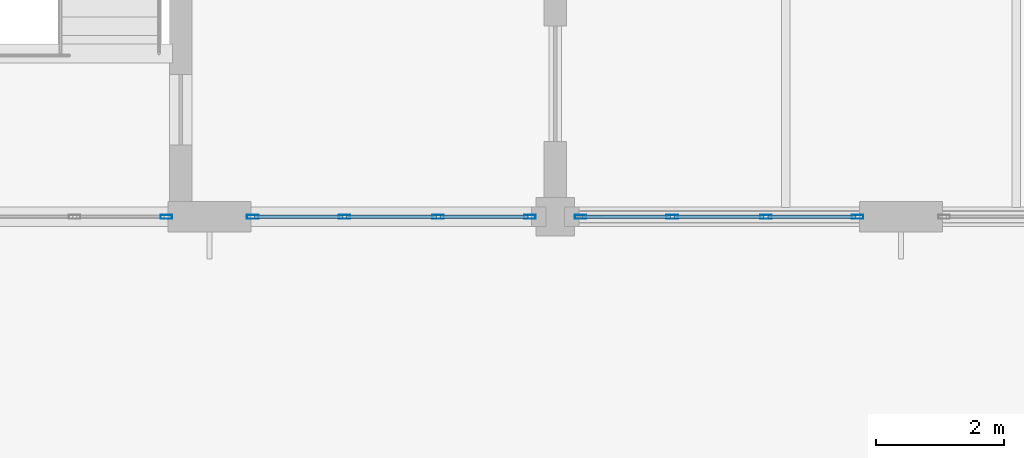
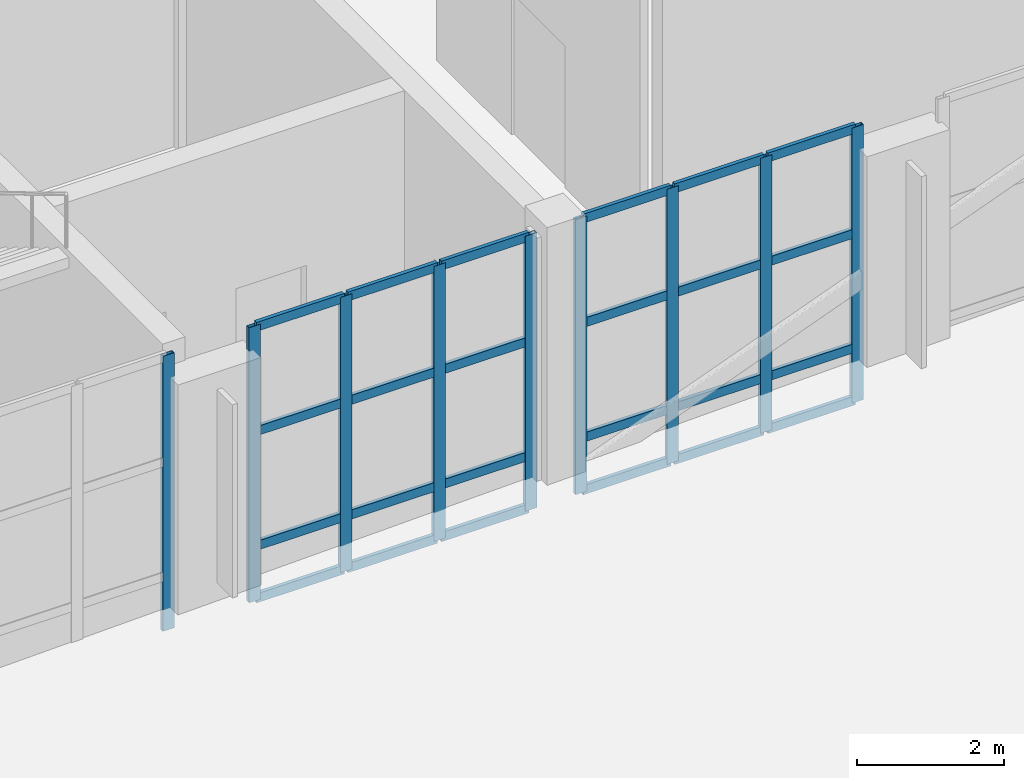
# One storey, part 16 of 86: 33 members, 3 elements without a shape of their own.
"""IFC4 building model written with IfcOpenShell, lengths in metres."""

from ifc_helpers import new_model, si_unit, direction, frame, origin, origin_2d, place, context, subcontext, project, spatial, hollow_rectangle, extrude, material, layer, layer_set, material_profile, profile_set, type_object, element, aggregate, save


model = new_model("IFC4")

# Units and contexts
model_context = context("Model", 3, precision=1e-05, world=origin(), true_north=direction((0.0, 1.0)))
body_context = subcontext(model_context, "Body", "Model", "MODEL_VIEW")
ifc_project = project(units=[si_unit("LENGTHUNIT", "METRE"), si_unit("AREAUNIT", "SQUARE_METRE"), si_unit("VOLUMEUNIT", "CUBIC_METRE"), si_unit("PLANEANGLEUNIT", "RADIAN"), si_unit("MASSUNIT", "GRAM", prefix="KILO")], contexts=[model_context])

# Site, building, storey
site_placement = place(None, origin())
site = spatial("IfcSite", under=ifc_project, at=site_placement, CompositionType="ELEMENT")
building_placement = place(site_placement, origin())
building = spatial("IfcBuilding", under=site, at=building_placement, Name="Tasgan Crest Museum", CompositionType="ELEMENT")
storey_placement = place(building_placement, frame((0.0, 0.0, 24.0)))
storey = spatial("IfcBuildingStorey", under=building, at=storey_placement, Name="L04", CompositionType="ELEMENT", Elevation=24.0)

# Curtain wall, member
ifc_material_1 = material(Name="Triple-Glazed Aluminium Curtain Wall", Category="aluminium")
ifc_layer_1 = layer(ifc_material_1, 0.179931640625, Name="CW-CORE-STRIP-48")
ifc_layer_set_1 = layer_set([ifc_layer_1], Name="Triple-Glazed Aluminium Curtain Wall")
curtain_wall_type_1 = type_object("IfcCurtainWallType", Name="CW-CORE-STRIP-48", PredefinedType="NOTDEFINED", material=ifc_layer_set_1)
curtain_wall_1_placement = place(storey_placement, origin())
curtain_wall_1 = element("IfcCurtainWall", 1, at=curtain_wall_1_placement, inside=storey, type_object=curtain_wall_type_1, Name="Curtain wall L04 171", PredefinedType="NOTDEFINED")
ifc_material_2 = material(Name="Anodised Aluminium", Category="aluminium")
ifc_material_profile_1 = material_profile(ifc_material_2, hollow_rectangle(XDim=0.06494140625, YDim=0.179931640625, WallThickness=0.0048828125, at=origin_2d()), Name="ALU MULLION 180x65x5")
ifc_profile_set_1 = profile_set([ifc_material_profile_1], Name="Anodised Aluminium")
member_type_1 = type_object("IfcMemberType", Name="CW-MULLION-180", PredefinedType="MULLION", material=ifc_profile_set_1)
member_1_placement = place(storey_placement, frame((15.52490234375, 82.0, 0.0), z_axis=(0.0, 0.0, 1.0), x_axis=(0.0, 1.0, 0.0)))
member_1 = element("IfcMember", 2, at=member_1_placement, type_object=member_type_1, Name="CW19 mullion 4", PredefinedType="MULLION", context=body_context, shape_type="SweptSolid", body=[
    extrude(hollow_rectangle(XDim=0.06494140625, YDim=0.179931640625, WallThickness=0.0048828125, at=origin_2d()), origin(), (0.0, 0.0, 1.0), 4.56005859375),
])
aggregate(curtain_wall_1, [member_1])

# Curtain wall, members
curtain_wall_2_placement = place(storey_placement, origin())
curtain_wall_2 = element("IfcCurtainWall", 3, at=curtain_wall_2_placement, inside=storey, type_object=curtain_wall_type_1, Name="Curtain wall L04 172", PredefinedType="NOTDEFINED")
member_2_placement = place(storey_placement, frame((16.875, 82.0, 0.0), z_axis=(0.0, 0.0, 1.0), x_axis=(0.0, 1.0, 0.0)))
member_2 = element("IfcMember", 4, at=member_2_placement, type_object=member_type_1, Name="CW19 mullion 1", PredefinedType="MULLION", context=body_context, shape_type="SweptSolid", body=[
    extrude(hollow_rectangle(XDim=0.06494140625, YDim=0.179931640625, WallThickness=0.0048828125, at=origin_2d()), origin(), (0.0, 0.0, 1.0), 4.56005859375),
])
member_3_placement = place(storey_placement, frame((18.308349609375, 82.0, 0.0), z_axis=(0.0, 0.0, 1.0), x_axis=(0.0, 1.0, 0.0)))
member_3 = element("IfcMember", 5, at=member_3_placement, type_object=member_type_1, Name="CW19 mullion 2", PredefinedType="MULLION", context=body_context, shape_type="SweptSolid", body=[
    extrude(hollow_rectangle(XDim=0.06494140625, YDim=0.179931640625, WallThickness=0.0048828125, at=origin_2d()), origin(), (0.0, 0.0, 1.0), 4.56005859375),
])
member_4_placement = place(storey_placement, frame((19.771728515625, 82.0, 0.0), z_axis=(0.0, 0.0, 1.0), x_axis=(0.0, 1.0, 0.0)))
member_4 = element("IfcMember", 6, at=member_4_placement, type_object=member_type_1, Name="CW19 mullion 3", PredefinedType="MULLION", context=body_context, shape_type="SweptSolid", body=[
    extrude(hollow_rectangle(XDim=0.06494140625, YDim=0.179931640625, WallThickness=0.0048828125, at=origin_2d()), origin(), (0.0, 0.0, 1.0), 4.56005859375),
])
member_5_placement = place(storey_placement, frame((21.205078125, 82.0, 0.0), z_axis=(0.0, 0.0, 1.0), x_axis=(0.0, 1.0, 0.0)))
member_5 = element("IfcMember", 7, at=member_5_placement, type_object=member_type_1, Name="CW19 mullion 4", PredefinedType="MULLION", context=body_context, shape_type="SweptSolid", body=[
    extrude(hollow_rectangle(XDim=0.06494140625, YDim=0.179931640625, WallThickness=0.0048828125, at=origin_2d()), origin(), (0.0, 0.0, 1.0), 4.56005859375),
])

ifc_material_3 = material(Name="Triple-Glazed Aluminium Curtain Wall", Category="aluminium")
ifc_layer_2 = layer(ifc_material_3, 0.179931640625, Name="CW-GAL-X-48")
ifc_layer_set_2 = layer_set([ifc_layer_2], Name="Triple-Glazed Aluminium Curtain Wall")
curtain_wall_type_2 = type_object("IfcCurtainWallType", Name="CW-GAL-X-48", PredefinedType="NOTDEFINED", material=ifc_layer_set_2)
curtain_wall_3_placement = place(storey_placement, origin())
curtain_wall_3 = element("IfcCurtainWall", 8, at=curtain_wall_3_placement, inside=storey, type_object=curtain_wall_type_2, Name="Curtain wall L04 173", PredefinedType="NOTDEFINED")
member_6_placement = place(storey_placement, frame((21.9951171875, 82.0, 0.0), z_axis=(0.0, 0.0, 1.0), x_axis=(0.0, 1.0, 0.0)))
member_6 = element("IfcMember", 9, at=member_6_placement, type_object=member_type_1, Name="CW13 mullion 1", PredefinedType="MULLION", context=body_context, shape_type="SweptSolid", body=[
    extrude(hollow_rectangle(XDim=0.06494140625, YDim=0.179931640625, WallThickness=0.0048828125, at=origin_2d()), origin(), (0.0, 0.0, 1.0), 4.56005859375),
])
member_7_placement = place(storey_placement, frame((23.42822265625, 82.0, 0.0), z_axis=(0.0, 0.0, 1.0), x_axis=(0.0, 1.0, 0.0)))
member_7 = element("IfcMember", 10, at=member_7_placement, type_object=member_type_1, Name="CW13 mullion 2", PredefinedType="MULLION", context=body_context, shape_type="SweptSolid", body=[
    extrude(hollow_rectangle(XDim=0.06494140625, YDim=0.179931640625, WallThickness=0.0048828125, at=origin_2d()), origin(), (0.0, 0.0, 1.0), 4.56005859375),
])
member_8_placement = place(storey_placement, frame((24.8916015625, 82.0, 0.0), z_axis=(0.0, 0.0, 1.0), x_axis=(0.0, 1.0, 0.0)))
member_8 = element("IfcMember", 11, at=member_8_placement, type_object=member_type_1, Name="CW13 mullion 3", PredefinedType="MULLION", context=body_context, shape_type="SweptSolid", body=[
    extrude(hollow_rectangle(XDim=0.06494140625, YDim=0.179931640625, WallThickness=0.0048828125, at=origin_2d()), origin(), (0.0, 0.0, 1.0), 4.56005859375),
])
member_9_placement = place(storey_placement, frame((26.324951171875, 82.0, 0.0), z_axis=(0.0, 0.0, 1.0), x_axis=(0.0, 1.0, 0.0)))
member_9 = element("IfcMember", 12, at=member_9_placement, type_object=member_type_1, Name="CW13 mullion 4", PredefinedType="MULLION", context=body_context, shape_type="SweptSolid", body=[
    extrude(hollow_rectangle(XDim=0.06494140625, YDim=0.179931640625, WallThickness=0.0048828125, at=origin_2d()), origin(), (0.0, 0.0, 1.0), 4.56005859375),
])

# Member
ifc_material_4 = material(Name="Anodised Aluminium", Category="aluminium")
ifc_material_profile_2 = material_profile(ifc_material_4, hollow_rectangle(XDim=0.06005859375, YDim=0.14990234375, WallThickness=0.0048828125, at=origin_2d()), Name="ALU TRANSOM 150x60x5")
ifc_profile_set_2 = profile_set([ifc_material_profile_2], Name="Anodised Aluminium")
member_type_2 = type_object("IfcMemberType", Name="CW-TRANSOM-150", PredefinedType="USERDEFINED", material=ifc_profile_set_2)
member_10_placement = place(storey_placement, frame((16.905029296875, 82.0, 0.030029296875), z_axis=(1.0, 0.0, 0.0), x_axis=(0.0, 1.0, 0.0)))
member_10 = element("IfcMember", 13, at=member_10_placement, type_object=member_type_2, Name="CW19 transom 1.1", ObjectType="TRANSOM", PredefinedType="USERDEFINED", context=body_context, shape_type="SweptSolid", body=[
    extrude(hollow_rectangle(XDim=0.06005859375, YDim=0.14990234375, WallThickness=0.0048828125, at=origin_2d()), origin(), (0.0, 0.0, 1.0), 1.373291015625),
])

member_11_placement = place(storey_placement, frame((16.905029296875, 82.0, 0.89990234375), z_axis=(1.0, 0.0, 0.0), x_axis=(0.0, 1.0, 0.0)))
member_11 = element("IfcMember", 14, at=member_11_placement, type_object=member_type_2, Name="CW19 transom 1.2", ObjectType="TRANSOM", PredefinedType="USERDEFINED", context=body_context, shape_type="SweptSolid", body=[
    extrude(hollow_rectangle(XDim=0.06005859375, YDim=0.14990234375, WallThickness=0.0048828125, at=origin_2d()), origin(), (0.0, 0.0, 1.0), 1.373291015625),
])

member_12_placement = place(storey_placement, frame((16.905029296875, 82.0, 2.800048828125), z_axis=(1.0, 0.0, 0.0), x_axis=(0.0, 1.0, 0.0)))
member_12 = element("IfcMember", 15, at=member_12_placement, type_object=member_type_2, Name="CW19 transom 1.3", ObjectType="TRANSOM", PredefinedType="USERDEFINED", context=body_context, shape_type="SweptSolid", body=[
    extrude(hollow_rectangle(XDim=0.06005859375, YDim=0.14990234375, WallThickness=0.0048828125, at=origin_2d()), origin(), (0.0, 0.0, 1.0), 1.373291015625),
])

member_13_placement = place(storey_placement, frame((16.905029296875, 82.0, 4.530029296875), z_axis=(1.0, 0.0, 0.0), x_axis=(0.0, 1.0, 0.0)))
member_13 = element("IfcMember", 16, at=member_13_placement, type_object=member_type_2, Name="CW19 transom 1.4", ObjectType="TRANSOM", PredefinedType="USERDEFINED", context=body_context, shape_type="SweptSolid", body=[
    extrude(hollow_rectangle(XDim=0.06005859375, YDim=0.14990234375, WallThickness=0.0048828125, at=origin_2d()), origin(), (0.0, 0.0, 1.0), 1.373291015625),
])

member_14_placement = place(storey_placement, frame((18.33837890625, 82.0, 0.030029296875), z_axis=(1.0, 0.0, 0.0), x_axis=(0.0, 1.0, 0.0)))
member_14 = element("IfcMember", 17, at=member_14_placement, type_object=member_type_2, Name="CW19 transom 2.1", ObjectType="TRANSOM", PredefinedType="USERDEFINED", context=body_context, shape_type="SweptSolid", body=[
    extrude(hollow_rectangle(XDim=0.06005859375, YDim=0.14990234375, WallThickness=0.0048828125, at=origin_2d()), origin(), (0.0, 0.0, 1.0), 1.4033203125),
])

member_15_placement = place(storey_placement, frame((18.33837890625, 82.0, 0.89990234375), z_axis=(1.0, 0.0, 0.0), x_axis=(0.0, 1.0, 0.0)))
member_15 = element("IfcMember", 18, at=member_15_placement, type_object=member_type_2, Name="CW19 transom 2.2", ObjectType="TRANSOM", PredefinedType="USERDEFINED", context=body_context, shape_type="SweptSolid", body=[
    extrude(hollow_rectangle(XDim=0.06005859375, YDim=0.14990234375, WallThickness=0.0048828125, at=origin_2d()), origin(), (0.0, 0.0, 1.0), 1.4033203125),
])

member_16_placement = place(storey_placement, frame((18.33837890625, 82.0, 2.800048828125), z_axis=(1.0, 0.0, 0.0), x_axis=(0.0, 1.0, 0.0)))
member_16 = element("IfcMember", 19, at=member_16_placement, type_object=member_type_2, Name="CW19 transom 2.3", ObjectType="TRANSOM", PredefinedType="USERDEFINED", context=body_context, shape_type="SweptSolid", body=[
    extrude(hollow_rectangle(XDim=0.06005859375, YDim=0.14990234375, WallThickness=0.0048828125, at=origin_2d()), origin(), (0.0, 0.0, 1.0), 1.4033203125),
])

member_17_placement = place(storey_placement, frame((18.33837890625, 82.0, 4.530029296875), z_axis=(1.0, 0.0, 0.0), x_axis=(0.0, 1.0, 0.0)))
member_17 = element("IfcMember", 20, at=member_17_placement, type_object=member_type_2, Name="CW19 transom 2.4", ObjectType="TRANSOM", PredefinedType="USERDEFINED", context=body_context, shape_type="SweptSolid", body=[
    extrude(hollow_rectangle(XDim=0.06005859375, YDim=0.14990234375, WallThickness=0.0048828125, at=origin_2d()), origin(), (0.0, 0.0, 1.0), 1.4033203125),
])

member_18_placement = place(storey_placement, frame((19.8017578125, 82.0, 0.030029296875), z_axis=(1.0, 0.0, 0.0), x_axis=(0.0, 1.0, 0.0)))
member_18 = element("IfcMember", 21, at=member_18_placement, type_object=member_type_2, Name="CW19 transom 3.1", ObjectType="TRANSOM", PredefinedType="USERDEFINED", context=body_context, shape_type="SweptSolid", body=[
    extrude(hollow_rectangle(XDim=0.06005859375, YDim=0.14990234375, WallThickness=0.0048828125, at=origin_2d()), origin(), (0.0, 0.0, 1.0), 1.373291015625),
])

member_19_placement = place(storey_placement, frame((19.8017578125, 82.0, 0.89990234375), z_axis=(1.0, 0.0, 0.0), x_axis=(0.0, 1.0, 0.0)))
member_19 = element("IfcMember", 22, at=member_19_placement, type_object=member_type_2, Name="CW19 transom 3.2", ObjectType="TRANSOM", PredefinedType="USERDEFINED", context=body_context, shape_type="SweptSolid", body=[
    extrude(hollow_rectangle(XDim=0.06005859375, YDim=0.14990234375, WallThickness=0.0048828125, at=origin_2d()), origin(), (0.0, 0.0, 1.0), 1.373291015625),
])

member_20_placement = place(storey_placement, frame((19.8017578125, 82.0, 2.800048828125), z_axis=(1.0, 0.0, 0.0), x_axis=(0.0, 1.0, 0.0)))
member_20 = element("IfcMember", 23, at=member_20_placement, type_object=member_type_2, Name="CW19 transom 3.3", ObjectType="TRANSOM", PredefinedType="USERDEFINED", context=body_context, shape_type="SweptSolid", body=[
    extrude(hollow_rectangle(XDim=0.06005859375, YDim=0.14990234375, WallThickness=0.0048828125, at=origin_2d()), origin(), (0.0, 0.0, 1.0), 1.373291015625),
])

member_21_placement = place(storey_placement, frame((19.8017578125, 82.0, 4.530029296875), z_axis=(1.0, 0.0, 0.0), x_axis=(0.0, 1.0, 0.0)))
member_21 = element("IfcMember", 24, at=member_21_placement, type_object=member_type_2, Name="CW19 transom 3.4", ObjectType="TRANSOM", PredefinedType="USERDEFINED", context=body_context, shape_type="SweptSolid", body=[
    extrude(hollow_rectangle(XDim=0.06005859375, YDim=0.14990234375, WallThickness=0.0048828125, at=origin_2d()), origin(), (0.0, 0.0, 1.0), 1.373291015625),
])

aggregate(curtain_wall_2, [member_2, member_3, member_4, member_5, member_10, member_11, member_12, member_13, member_14, member_15, member_16, member_17, member_18, member_19, member_20, member_21])

member_22_placement = place(storey_placement, frame((22.02490234375, 82.0, 0.030029296875), z_axis=(1.0, 0.0, 0.0), x_axis=(0.0, 1.0, 0.0)))
member_22 = element("IfcMember", 25, at=member_22_placement, type_object=member_type_2, Name="CW13 transom 1.1", ObjectType="TRANSOM", PredefinedType="USERDEFINED", context=body_context, shape_type="SweptSolid", body=[
    extrude(hollow_rectangle(XDim=0.06005859375, YDim=0.14990234375, WallThickness=0.0048828125, at=origin_2d()), origin(), (0.0, 0.0, 1.0), 1.37353515625),
])

member_23_placement = place(storey_placement, frame((22.02490234375, 82.0, 0.89990234375), z_axis=(1.0, 0.0, 0.0), x_axis=(0.0, 1.0, 0.0)))
member_23 = element("IfcMember", 26, at=member_23_placement, type_object=member_type_2, Name="CW13 transom 1.2", ObjectType="TRANSOM", PredefinedType="USERDEFINED", context=body_context, shape_type="SweptSolid", body=[
    extrude(hollow_rectangle(XDim=0.06005859375, YDim=0.14990234375, WallThickness=0.0048828125, at=origin_2d()), origin(), (0.0, 0.0, 1.0), 1.37353515625),
])

member_24_placement = place(storey_placement, frame((22.02490234375, 82.0, 2.800048828125), z_axis=(1.0, 0.0, 0.0), x_axis=(0.0, 1.0, 0.0)))
member_24 = element("IfcMember", 27, at=member_24_placement, type_object=member_type_2, Name="CW13 transom 1.3", ObjectType="TRANSOM", PredefinedType="USERDEFINED", context=body_context, shape_type="SweptSolid", body=[
    extrude(hollow_rectangle(XDim=0.06005859375, YDim=0.14990234375, WallThickness=0.0048828125, at=origin_2d()), origin(), (0.0, 0.0, 1.0), 1.37353515625),
])

member_25_placement = place(storey_placement, frame((22.02490234375, 82.0, 4.530029296875), z_axis=(1.0, 0.0, 0.0), x_axis=(0.0, 1.0, 0.0)))
member_25 = element("IfcMember", 28, at=member_25_placement, type_object=member_type_2, Name="CW13 transom 1.4", ObjectType="TRANSOM", PredefinedType="USERDEFINED", context=body_context, shape_type="SweptSolid", body=[
    extrude(hollow_rectangle(XDim=0.06005859375, YDim=0.14990234375, WallThickness=0.0048828125, at=origin_2d()), origin(), (0.0, 0.0, 1.0), 1.37353515625),
])

member_26_placement = place(storey_placement, frame((23.458251953125, 82.0, 0.030029296875), z_axis=(1.0, 0.0, 0.0), x_axis=(0.0, 1.0, 0.0)))
member_26 = element("IfcMember", 29, at=member_26_placement, type_object=member_type_2, Name="CW13 transom 2.1", ObjectType="TRANSOM", PredefinedType="USERDEFINED", context=body_context, shape_type="SweptSolid", body=[
    extrude(hollow_rectangle(XDim=0.06005859375, YDim=0.14990234375, WallThickness=0.0048828125, at=origin_2d()), origin(), (0.0, 0.0, 1.0), 1.4033203125),
])

member_27_placement = place(storey_placement, frame((23.458251953125, 82.0, 0.89990234375), z_axis=(1.0, 0.0, 0.0), x_axis=(0.0, 1.0, 0.0)))
member_27 = element("IfcMember", 30, at=member_27_placement, type_object=member_type_2, Name="CW13 transom 2.2", ObjectType="TRANSOM", PredefinedType="USERDEFINED", context=body_context, shape_type="SweptSolid", body=[
    extrude(hollow_rectangle(XDim=0.06005859375, YDim=0.14990234375, WallThickness=0.0048828125, at=origin_2d()), origin(), (0.0, 0.0, 1.0), 1.4033203125),
])

member_28_placement = place(storey_placement, frame((23.458251953125, 82.0, 2.800048828125), z_axis=(1.0, 0.0, 0.0), x_axis=(0.0, 1.0, 0.0)))
member_28 = element("IfcMember", 31, at=member_28_placement, type_object=member_type_2, Name="CW13 transom 2.3", ObjectType="TRANSOM", PredefinedType="USERDEFINED", context=body_context, shape_type="SweptSolid", body=[
    extrude(hollow_rectangle(XDim=0.06005859375, YDim=0.14990234375, WallThickness=0.0048828125, at=origin_2d()), origin(), (0.0, 0.0, 1.0), 1.4033203125),
])

member_29_placement = place(storey_placement, frame((23.458251953125, 82.0, 4.530029296875), z_axis=(1.0, 0.0, 0.0), x_axis=(0.0, 1.0, 0.0)))
member_29 = element("IfcMember", 32, at=member_29_placement, type_object=member_type_2, Name="CW13 transom 2.4", ObjectType="TRANSOM", PredefinedType="USERDEFINED", context=body_context, shape_type="SweptSolid", body=[
    extrude(hollow_rectangle(XDim=0.06005859375, YDim=0.14990234375, WallThickness=0.0048828125, at=origin_2d()), origin(), (0.0, 0.0, 1.0), 1.4033203125),
])

member_30_placement = place(storey_placement, frame((24.921630859375, 82.0, 0.030029296875), z_axis=(1.0, 0.0, 0.0), x_axis=(0.0, 1.0, 0.0)))
member_30 = element("IfcMember", 33, at=member_30_placement, type_object=member_type_2, Name="CW13 transom 3.1", ObjectType="TRANSOM", PredefinedType="USERDEFINED", context=body_context, shape_type="SweptSolid", body=[
    extrude(hollow_rectangle(XDim=0.06005859375, YDim=0.14990234375, WallThickness=0.0048828125, at=origin_2d()), origin(), (0.0, 0.0, 1.0), 1.373291015625),
])

member_31_placement = place(storey_placement, frame((24.921630859375, 82.0, 0.89990234375), z_axis=(1.0, 0.0, 0.0), x_axis=(0.0, 1.0, 0.0)))
member_31 = element("IfcMember", 34, at=member_31_placement, type_object=member_type_2, Name="CW13 transom 3.2", ObjectType="TRANSOM", PredefinedType="USERDEFINED", context=body_context, shape_type="SweptSolid", body=[
    extrude(hollow_rectangle(XDim=0.06005859375, YDim=0.14990234375, WallThickness=0.0048828125, at=origin_2d()), origin(), (0.0, 0.0, 1.0), 1.373291015625),
])

member_32_placement = place(storey_placement, frame((24.921630859375, 82.0, 2.800048828125), z_axis=(1.0, 0.0, 0.0), x_axis=(0.0, 1.0, 0.0)))
member_32 = element("IfcMember", 35, at=member_32_placement, type_object=member_type_2, Name="CW13 transom 3.3", ObjectType="TRANSOM", PredefinedType="USERDEFINED", context=body_context, shape_type="SweptSolid", body=[
    extrude(hollow_rectangle(XDim=0.06005859375, YDim=0.14990234375, WallThickness=0.0048828125, at=origin_2d()), origin(), (0.0, 0.0, 1.0), 1.373291015625),
])

member_33_placement = place(storey_placement, frame((24.921630859375, 82.0, 4.530029296875), z_axis=(1.0, 0.0, 0.0), x_axis=(0.0, 1.0, 0.0)))
member_33 = element("IfcMember", 36, at=member_33_placement, type_object=member_type_2, Name="CW13 transom 3.4", ObjectType="TRANSOM", PredefinedType="USERDEFINED", context=body_context, shape_type="SweptSolid", body=[
    extrude(hollow_rectangle(XDim=0.06005859375, YDim=0.14990234375, WallThickness=0.0048828125, at=origin_2d()), origin(), (0.0, 0.0, 1.0), 1.373291015625),
])

aggregate(curtain_wall_3, [member_6, member_7, member_8, member_9, member_22, member_23, member_24, member_25, member_26, member_27, member_28, member_29, member_30, member_31, member_32, member_33])

save(model, "model.ifc")
